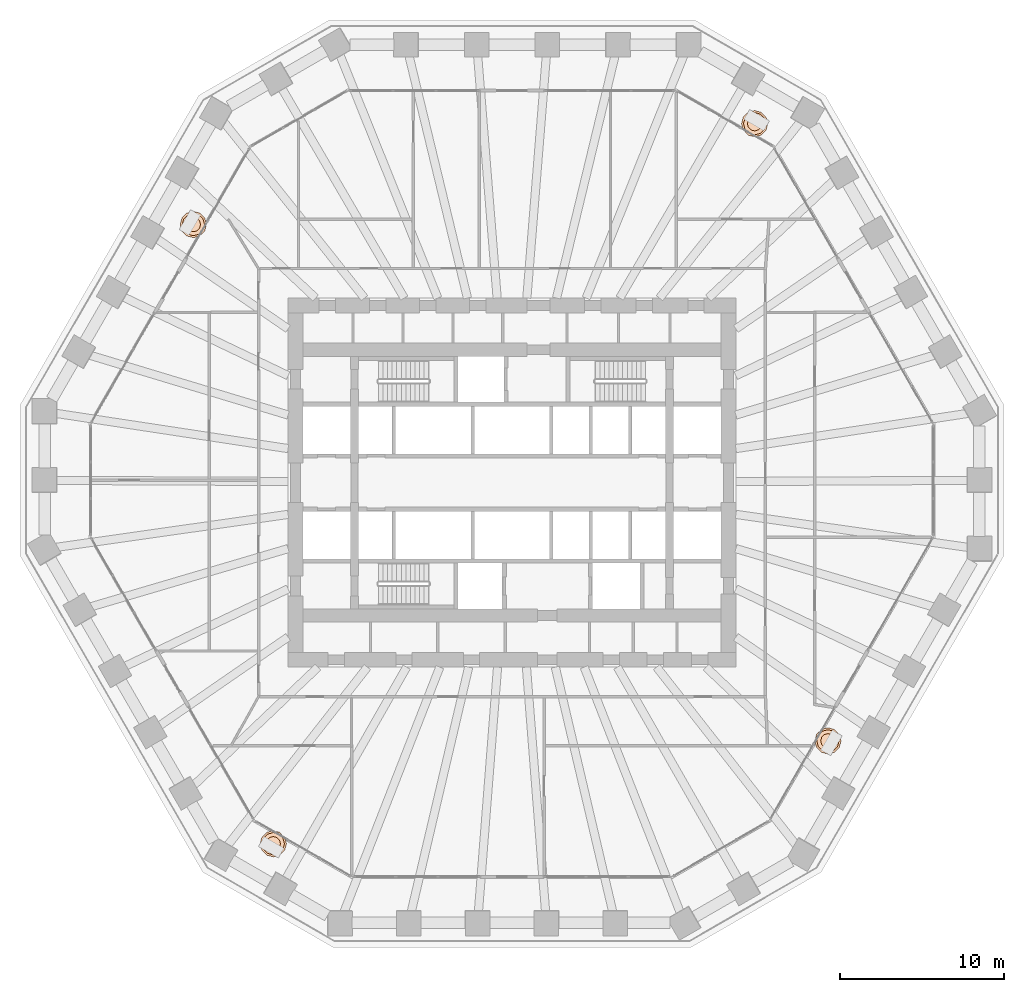
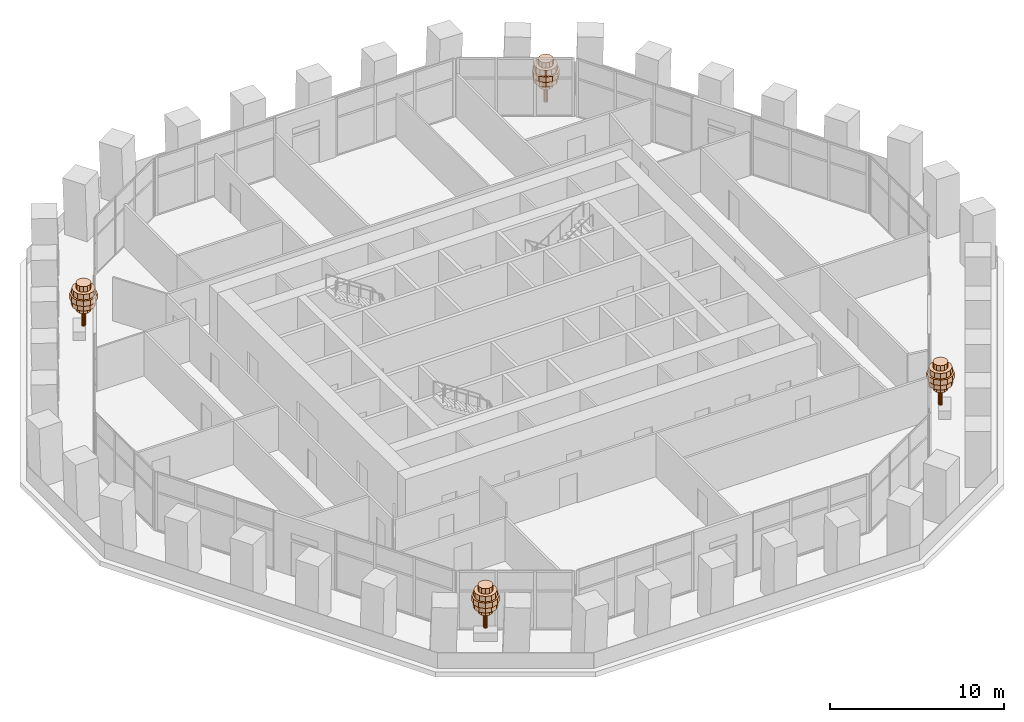
# One storey, part 18 of 18: 4 geographic elements.
"""IFC4 building model written with IfcOpenShell, lengths in metres."""

from ifc_helpers import new_model, si_unit, direction, frame, origin, place, context, subcontext, project, spatial, polyline, outline, extrude, material, type_object, element, save


model = new_model("IFC4")

# Units and contexts
model_context = context("Model", 3, precision=1e-05, world=origin(), true_north=direction((0.0, 1.0)))
body_context = subcontext(model_context, "Body", "Model", "MODEL_VIEW")
ifc_project = project(units=[si_unit("LENGTHUNIT", "METRE"), si_unit("AREAUNIT", "SQUARE_METRE"), si_unit("VOLUMEUNIT", "CUBIC_METRE"), si_unit("PLANEANGLEUNIT", "RADIAN"), si_unit("MASSUNIT", "GRAM", prefix="KILO")], contexts=[model_context])

# Site, building, storey
site_placement = place(None, origin())
site = spatial("IfcSite", under=ifc_project, at=site_placement, CompositionType="ELEMENT")
building_placement = place(site_placement, origin())
building = spatial("IfcBuilding", under=site, at=building_placement, Name="Frailejon Research Tower", CompositionType="ELEMENT")
storey_placement = place(building_placement, frame((0.0, 0.0, 19.0)))
storey = spatial("IfcBuildingStorey", under=building, at=storey_placement, Name="L04", CompositionType="ELEMENT", Elevation=19.0)

# Geographic elements
ifc_material = material(Name="Foliage, green")
geographic_element_type = type_object("IfcGeographicElementType", Name="Frailejon tree, loggia", PredefinedType="USERDEFINED", material=ifc_material)
geographic_element_1_placement = place(storey_placement, frame((14.791015625, 21.878173828125, 0.60009765625)))
element("IfcGeographicElement", 1, at=geographic_element_1_placement, inside=storey, type_object=geographic_element_type, Name="Tree L04", ObjectType="TREE", PredefinedType="USERDEFINED", context=body_context, shape_type="SweptSolid", body=[
    extrude(outline(polyline([(0.1298828125, 0.0), (0.112548828125, 0.06494140625), (0.06494140625, 0.112548828125), (0.0, 0.1298828125), (-0.06494140625, 0.112548828125), (-0.112548828125, 0.06494140625), (-0.1298828125, 0.0), (-0.112548828125, -0.06494140625), (-0.06494140625, -0.112548828125), (0.0, -0.1298828125), (0.06494140625, -0.112548828125), (0.112548828125, -0.06494140625), (0.1298828125, 0.0)])), origin(), (0.0, 0.0, 1.0), 2.239990234375),
    extrude(outline(polyline([(0.43994140625, 0.0), (0.381103515625, 0.219970703125), (0.219970703125, 0.381103515625), (0.0, 0.43994140625), (-0.219970703125, 0.381103515625), (-0.381103515625, 0.219970703125), (-0.43994140625, 0.0), (-0.381103515625, -0.219970703125), (-0.219970703125, -0.381103515625), (0.0, -0.43994140625), (0.219970703125, -0.381103515625), (0.381103515625, -0.219970703125), (0.43994140625, 0.0)])), frame((0.0, 0.0, 1.10009765625)), (0.0, 0.0, 1.0), 0.3798828125),
    extrude(outline(polyline([(0.719970703125, 0.0), (0.62353515625, 0.360107421875), (0.360107421875, 0.62353515625), (0.0, 0.719970703125), (-0.360107421875, 0.62353515625), (-0.62353515625, 0.360107421875), (-0.719970703125, 0.0), (-0.62353515625, -0.360107421875), (-0.360107421875, -0.62353515625), (0.0, -0.719970703125), (0.360107421875, -0.62353515625), (0.62353515625, -0.360107421875), (0.719970703125, 0.0)])), frame((0.0, 0.0, 1.47998046875)), (0.0, 0.0, 1.0), 0.3798828125),
    extrude(outline(polyline([(0.800048828125, 0.0), (0.69287109375, 0.39990234375), (0.39990234375, 0.69287109375), (0.0, 0.800048828125), (-0.39990234375, 0.69287109375), (-0.69287109375, 0.39990234375), (-0.800048828125, 0.0), (-0.69287109375, -0.39990234375), (-0.39990234375, -0.69287109375), (0.0, -0.800048828125), (0.39990234375, -0.69287109375), (0.69287109375, -0.39990234375), (0.800048828125, 0.0)])), frame((0.0, 0.0, 1.860107421875)), (0.0, 0.0, 1.0), 0.3798828125),
    extrude(outline(polyline([(0.679931640625, 0.0), (0.5888671875, 0.340087890625), (0.340087890625, 0.5888671875), (0.0, 0.679931640625), (-0.340087890625, 0.5888671875), (-0.5888671875, 0.340087890625), (-0.679931640625, 0.0), (-0.5888671875, -0.340087890625), (-0.340087890625, -0.5888671875), (0.0, -0.679931640625), (0.340087890625, -0.5888671875), (0.5888671875, -0.340087890625), (0.679931640625, 0.0)])), frame((0.0, 0.0, 2.239990234375)), (0.0, 0.0, 1.0), 0.3798828125),
    extrude(outline(polyline([(0.43994140625, 0.0), (0.381103515625, 0.219970703125), (0.219970703125, 0.381103515625), (0.0, 0.43994140625), (-0.219970703125, 0.381103515625), (-0.381103515625, 0.219970703125), (-0.43994140625, 0.0), (-0.381103515625, -0.219970703125), (-0.219970703125, -0.381103515625), (0.0, -0.43994140625), (0.219970703125, -0.381103515625), (0.381103515625, -0.219970703125), (0.43994140625, 0.0)])), frame((0.0, 0.0, 2.6201171875)), (0.0, 0.0, 1.0), 0.3798828125),
])
geographic_element_2_placement = place(storey_placement, frame((-19.42529296875, 15.730712890625, 0.60009765625)))
element("IfcGeographicElement", 2, at=geographic_element_2_placement, inside=storey, type_object=geographic_element_type, Name="Tree L04", ObjectType="TREE", PredefinedType="USERDEFINED", context=body_context, shape_type="SweptSolid", body=[
    extrude(outline(polyline([(0.1298828125, 0.0), (0.112548828125, 0.06494140625), (0.06494140625, 0.112548828125), (0.0, 0.1298828125), (-0.06494140625, 0.112548828125), (-0.112548828125, 0.06494140625), (-0.1298828125, 0.0), (-0.112548828125, -0.06494140625), (-0.06494140625, -0.112548828125), (0.0, -0.1298828125), (0.06494140625, -0.112548828125), (0.112548828125, -0.06494140625), (0.1298828125, 0.0)])), origin(), (0.0, 0.0, 1.0), 2.239990234375),
    extrude(outline(polyline([(0.43994140625, 0.0), (0.381103515625, 0.219970703125), (0.219970703125, 0.381103515625), (0.0, 0.43994140625), (-0.219970703125, 0.381103515625), (-0.381103515625, 0.219970703125), (-0.43994140625, 0.0), (-0.381103515625, -0.219970703125), (-0.219970703125, -0.381103515625), (0.0, -0.43994140625), (0.219970703125, -0.381103515625), (0.381103515625, -0.219970703125), (0.43994140625, 0.0)])), frame((0.0, 0.0, 1.10009765625)), (0.0, 0.0, 1.0), 0.3798828125),
    extrude(outline(polyline([(0.719970703125, 0.0), (0.62353515625, 0.360107421875), (0.360107421875, 0.62353515625), (0.0, 0.719970703125), (-0.360107421875, 0.62353515625), (-0.62353515625, 0.360107421875), (-0.719970703125, 0.0), (-0.62353515625, -0.360107421875), (-0.360107421875, -0.62353515625), (0.0, -0.719970703125), (0.360107421875, -0.62353515625), (0.62353515625, -0.360107421875), (0.719970703125, 0.0)])), frame((0.0, 0.0, 1.47998046875)), (0.0, 0.0, 1.0), 0.3798828125),
    extrude(outline(polyline([(0.800048828125, 0.0), (0.69287109375, 0.39990234375), (0.39990234375, 0.69287109375), (0.0, 0.800048828125), (-0.39990234375, 0.69287109375), (-0.69287109375, 0.39990234375), (-0.800048828125, 0.0), (-0.69287109375, -0.39990234375), (-0.39990234375, -0.69287109375), (0.0, -0.800048828125), (0.39990234375, -0.69287109375), (0.69287109375, -0.39990234375), (0.800048828125, 0.0)])), frame((0.0, 0.0, 1.860107421875)), (0.0, 0.0, 1.0), 0.3798828125),
    extrude(outline(polyline([(0.679931640625, 0.0), (0.5888671875, 0.340087890625), (0.340087890625, 0.5888671875), (0.0, 0.679931640625), (-0.340087890625, 0.5888671875), (-0.5888671875, 0.340087890625), (-0.679931640625, 0.0), (-0.5888671875, -0.340087890625), (-0.340087890625, -0.5888671875), (0.0, -0.679931640625), (0.340087890625, -0.5888671875), (0.5888671875, -0.340087890625), (0.679931640625, 0.0)])), frame((0.0, 0.0, 2.239990234375)), (0.0, 0.0, 1.0), 0.3798828125),
    extrude(outline(polyline([(0.43994140625, 0.0), (0.381103515625, 0.219970703125), (0.219970703125, 0.381103515625), (0.0, 0.43994140625), (-0.219970703125, 0.381103515625), (-0.381103515625, 0.219970703125), (-0.43994140625, 0.0), (-0.381103515625, -0.219970703125), (-0.219970703125, -0.381103515625), (0.0, -0.43994140625), (0.219970703125, -0.381103515625), (0.381103515625, -0.219970703125), (0.43994140625, 0.0)])), frame((0.0, 0.0, 2.6201171875)), (0.0, 0.0, 1.0), 0.3798828125),
])
geographic_element_3_placement = place(storey_placement, frame((-14.551513671875, -22.0166015625, 0.60009765625)))
element("IfcGeographicElement", 3, at=geographic_element_3_placement, inside=storey, type_object=geographic_element_type, Name="Tree L04", ObjectType="TREE", PredefinedType="USERDEFINED", context=body_context, shape_type="SweptSolid", body=[
    extrude(outline(polyline([(0.1298828125, 0.0), (0.112548828125, 0.06494140625), (0.06494140625, 0.112548828125), (0.0, 0.1298828125), (-0.06494140625, 0.112548828125), (-0.112548828125, 0.06494140625), (-0.1298828125, 0.0), (-0.112548828125, -0.06494140625), (-0.06494140625, -0.112548828125), (0.0, -0.1298828125), (0.06494140625, -0.112548828125), (0.112548828125, -0.06494140625), (0.1298828125, 0.0)])), origin(), (0.0, 0.0, 1.0), 2.239990234375),
    extrude(outline(polyline([(0.43994140625, 0.0), (0.381103515625, 0.219970703125), (0.219970703125, 0.381103515625), (0.0, 0.43994140625), (-0.219970703125, 0.381103515625), (-0.381103515625, 0.219970703125), (-0.43994140625, 0.0), (-0.381103515625, -0.219970703125), (-0.219970703125, -0.381103515625), (0.0, -0.43994140625), (0.219970703125, -0.381103515625), (0.381103515625, -0.219970703125), (0.43994140625, 0.0)])), frame((0.0, 0.0, 1.10009765625)), (0.0, 0.0, 1.0), 0.3798828125),
    extrude(outline(polyline([(0.719970703125, 0.0), (0.62353515625, 0.360107421875), (0.360107421875, 0.62353515625), (0.0, 0.719970703125), (-0.360107421875, 0.62353515625), (-0.62353515625, 0.360107421875), (-0.719970703125, 0.0), (-0.62353515625, -0.360107421875), (-0.360107421875, -0.62353515625), (0.0, -0.719970703125), (0.360107421875, -0.62353515625), (0.62353515625, -0.360107421875), (0.719970703125, 0.0)])), frame((0.0, 0.0, 1.47998046875)), (0.0, 0.0, 1.0), 0.3798828125),
    extrude(outline(polyline([(0.800048828125, 0.0), (0.69287109375, 0.39990234375), (0.39990234375, 0.69287109375), (0.0, 0.800048828125), (-0.39990234375, 0.69287109375), (-0.69287109375, 0.39990234375), (-0.800048828125, 0.0), (-0.69287109375, -0.39990234375), (-0.39990234375, -0.69287109375), (0.0, -0.800048828125), (0.39990234375, -0.69287109375), (0.69287109375, -0.39990234375), (0.800048828125, 0.0)])), frame((0.0, 0.0, 1.860107421875)), (0.0, 0.0, 1.0), 0.3798828125),
    extrude(outline(polyline([(0.679931640625, 0.0), (0.5888671875, 0.340087890625), (0.340087890625, 0.5888671875), (0.0, 0.679931640625), (-0.340087890625, 0.5888671875), (-0.5888671875, 0.340087890625), (-0.679931640625, 0.0), (-0.5888671875, -0.340087890625), (-0.340087890625, -0.5888671875), (0.0, -0.679931640625), (0.340087890625, -0.5888671875), (0.5888671875, -0.340087890625), (0.679931640625, 0.0)])), frame((0.0, 0.0, 2.239990234375)), (0.0, 0.0, 1.0), 0.3798828125),
    extrude(outline(polyline([(0.43994140625, 0.0), (0.381103515625, 0.219970703125), (0.219970703125, 0.381103515625), (0.0, 0.43994140625), (-0.219970703125, 0.381103515625), (-0.381103515625, 0.219970703125), (-0.43994140625, 0.0), (-0.381103515625, -0.219970703125), (-0.219970703125, -0.381103515625), (0.0, -0.43994140625), (0.219970703125, -0.381103515625), (0.381103515625, -0.219970703125), (0.43994140625, 0.0)])), frame((0.0, 0.0, 2.6201171875)), (0.0, 0.0, 1.0), 0.3798828125),
])
geographic_element_4_placement = place(storey_placement, frame((19.2578125, -15.74462890625, 0.60009765625)))
element("IfcGeographicElement", 4, at=geographic_element_4_placement, inside=storey, type_object=geographic_element_type, Name="Tree L04", ObjectType="TREE", PredefinedType="USERDEFINED", context=body_context, shape_type="SweptSolid", body=[
    extrude(outline(polyline([(0.1298828125, 0.0), (0.112548828125, 0.06494140625), (0.06494140625, 0.112548828125), (0.0, 0.1298828125), (-0.06494140625, 0.112548828125), (-0.112548828125, 0.06494140625), (-0.1298828125, 0.0), (-0.112548828125, -0.06494140625), (-0.06494140625, -0.112548828125), (0.0, -0.1298828125), (0.06494140625, -0.112548828125), (0.112548828125, -0.06494140625), (0.1298828125, 0.0)])), origin(), (0.0, 0.0, 1.0), 2.239990234375),
    extrude(outline(polyline([(0.43994140625, 0.0), (0.381103515625, 0.219970703125), (0.219970703125, 0.381103515625), (0.0, 0.43994140625), (-0.219970703125, 0.381103515625), (-0.381103515625, 0.219970703125), (-0.43994140625, 0.0), (-0.381103515625, -0.219970703125), (-0.219970703125, -0.381103515625), (0.0, -0.43994140625), (0.219970703125, -0.381103515625), (0.381103515625, -0.219970703125), (0.43994140625, 0.0)])), frame((0.0, 0.0, 1.10009765625)), (0.0, 0.0, 1.0), 0.3798828125),
    extrude(outline(polyline([(0.719970703125, 0.0), (0.62353515625, 0.360107421875), (0.360107421875, 0.62353515625), (0.0, 0.719970703125), (-0.360107421875, 0.62353515625), (-0.62353515625, 0.360107421875), (-0.719970703125, 0.0), (-0.62353515625, -0.360107421875), (-0.360107421875, -0.62353515625), (0.0, -0.719970703125), (0.360107421875, -0.62353515625), (0.62353515625, -0.360107421875), (0.719970703125, 0.0)])), frame((0.0, 0.0, 1.47998046875)), (0.0, 0.0, 1.0), 0.3798828125),
    extrude(outline(polyline([(0.800048828125, 0.0), (0.69287109375, 0.39990234375), (0.39990234375, 0.69287109375), (0.0, 0.800048828125), (-0.39990234375, 0.69287109375), (-0.69287109375, 0.39990234375), (-0.800048828125, 0.0), (-0.69287109375, -0.39990234375), (-0.39990234375, -0.69287109375), (0.0, -0.800048828125), (0.39990234375, -0.69287109375), (0.69287109375, -0.39990234375), (0.800048828125, 0.0)])), frame((0.0, 0.0, 1.860107421875)), (0.0, 0.0, 1.0), 0.3798828125),
    extrude(outline(polyline([(0.679931640625, 0.0), (0.5888671875, 0.340087890625), (0.340087890625, 0.5888671875), (0.0, 0.679931640625), (-0.340087890625, 0.5888671875), (-0.5888671875, 0.340087890625), (-0.679931640625, 0.0), (-0.5888671875, -0.340087890625), (-0.340087890625, -0.5888671875), (0.0, -0.679931640625), (0.340087890625, -0.5888671875), (0.5888671875, -0.340087890625), (0.679931640625, 0.0)])), frame((0.0, 0.0, 2.239990234375)), (0.0, 0.0, 1.0), 0.3798828125),
    extrude(outline(polyline([(0.43994140625, 0.0), (0.381103515625, 0.219970703125), (0.219970703125, 0.381103515625), (0.0, 0.43994140625), (-0.219970703125, 0.381103515625), (-0.381103515625, 0.219970703125), (-0.43994140625, 0.0), (-0.381103515625, -0.219970703125), (-0.219970703125, -0.381103515625), (0.0, -0.43994140625), (0.219970703125, -0.381103515625), (0.381103515625, -0.219970703125), (0.43994140625, 0.0)])), frame((0.0, 0.0, 2.6201171875)), (0.0, 0.0, 1.0), 0.3798828125),
])

save(model, "model.ifc")
